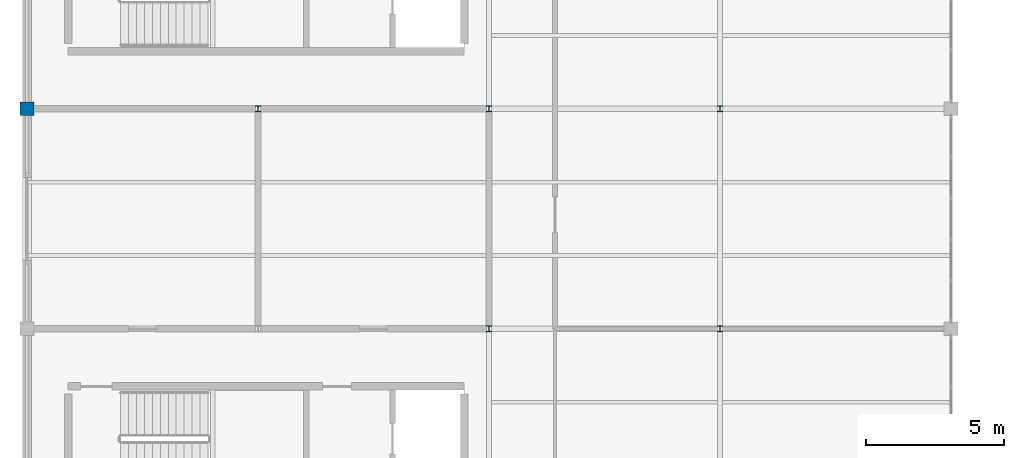
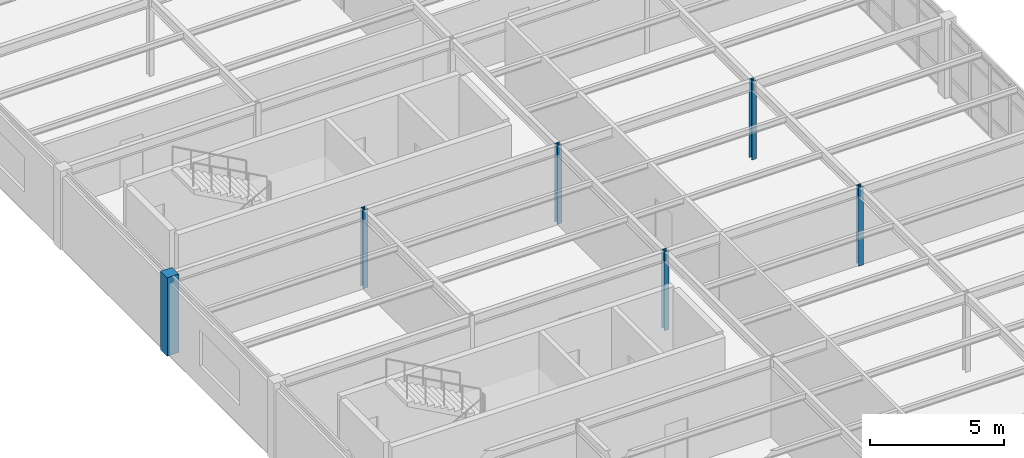
# One storey, part 2 of 32: 6 columns.
"""IFC4 building model written with IfcOpenShell, lengths in metres."""

from ifc_helpers import new_model, si_unit, direction, frame, origin, origin_2d, place, context, subcontext, project, spatial, rectangle, i_section, extrude, material, material_profile, profile_set, type_object, element, save


model = new_model("IFC4")

# Units and contexts
model_context = context("Model", 3, precision=1e-05, world=origin(), true_north=direction((0.0, 1.0)))
body_context = subcontext(model_context, "Body", "Model", "MODEL_VIEW")
ifc_project = project(units=[si_unit("LENGTHUNIT", "METRE"), si_unit("AREAUNIT", "SQUARE_METRE"), si_unit("VOLUMEUNIT", "CUBIC_METRE"), si_unit("PLANEANGLEUNIT", "RADIAN"), si_unit("MASSUNIT", "GRAM", prefix="KILO")], contexts=[model_context])

# Site, building, storey
site_placement = place(None, origin())
site = spatial("IfcSite", under=ifc_project, at=site_placement, CompositionType="ELEMENT")
building_placement = place(site_placement, origin())
building = spatial("IfcBuilding", under=site, at=building_placement, Name="Kranzveld Transit Interchange", CompositionType="ELEMENT")
storey_placement = place(building_placement, frame((0.0, 0.0, 17.199951171875)))
storey = spatial("IfcBuildingStorey", under=building, at=storey_placement, Name="L04", CompositionType="ELEMENT", Elevation=17.199951171875)

# Columns
ifc_material_1 = material(Name="Concrete C35/45", Category="concrete")
ifc_material_profile_1 = material_profile(ifc_material_1, rectangle(XDim=0.5, YDim=0.5, at=origin_2d()), Name="RC 500x500")
ifc_profile_set_1 = profile_set([ifc_material_profile_1], Name="Concrete C35/45")
column_type_1 = type_object("IfcColumnType", Name="Column RC 500x500 C35/45", PredefinedType="COLUMN", material=ifc_profile_set_1)
column_placement = place(storey_placement, frame((0.0, 80.0, 0.0), z_axis=(0.0, 0.0, 1.0), x_axis=(1.0, 0.0, 0.0)))
element("IfcColumn", 1, at=column_placement, inside=storey, type_object=column_type_1, Name="L04 Column 01/L", PredefinedType="COLUMN", context=body_context, shape_type="SweptSolid", body=[
    extrude(rectangle(XDim=0.5, YDim=0.5, at=origin_2d()), origin(), (0.0, 0.0, 1.0), 3.590087890625),
])
ifc_material_2 = material(Name="Steel S355JR", Category="steel")
ifc_material_profile_2 = material_profile(ifc_material_2, i_section(OverallWidth=0.205810546875, OverallDepth=0.209716796875, WebThickness=0.009521484375, FlangeThickness=0.01416015625, FilletRadius=0.01025390625, at=origin_2d()), Name="UC 203x203x60")
ifc_profile_set_2 = profile_set([ifc_material_profile_2], Name="Steel S355JR")
column_type_2 = type_object("IfcColumnType", Name="Column Steel UC 203x203x60 S355JR", PredefinedType="COLUMN", material=ifc_profile_set_2)
for number, where, z_axis, x_axis, name in (
    (2, (8.39990234375, 80.0, 0.0), (0.0, 0.0, 1.0), (1.0, 0.0, 0.0), "L04 Column 02/L"),
    (3, (16.800048828125, 72.0, 0.0), (0.0, 0.0, 1.0), (1.0, 0.0, 0.0), "L04 Column 03/K"),
    (4, (16.800048828125, 80.0, 0.0), (0.0, 0.0, 1.0), (1.0, 0.0, 0.0), "L04 Column 03/L"),
    (5, (25.199951171875, 72.0, 0.0), (0.0, 0.0, 1.0), (1.0, 0.0, 0.0), "L04 Column 04/K"),
    (6, (25.199951171875, 80.0, 0.0), (0.0, 0.0, 1.0), (1.0, 0.0, 0.0), "L04 Column 04/L"),
):
    element("IfcColumn", number, at=place(storey_placement, frame(where, z_axis=z_axis, x_axis=x_axis)), inside=storey, type_object=column_type_2, Name=name, PredefinedType="COLUMN", context=body_context, shape_type="SweptSolid", body=[
        extrude(i_section(OverallWidth=0.205810546875, OverallDepth=0.209716796875, WebThickness=0.009521484375, FlangeThickness=0.01416015625, FilletRadius=0.01025390625, at=origin_2d()), origin(), (0.0, 0.0, 1.0), 3.590087890625),
    ])

save(model, "model.ifc")
